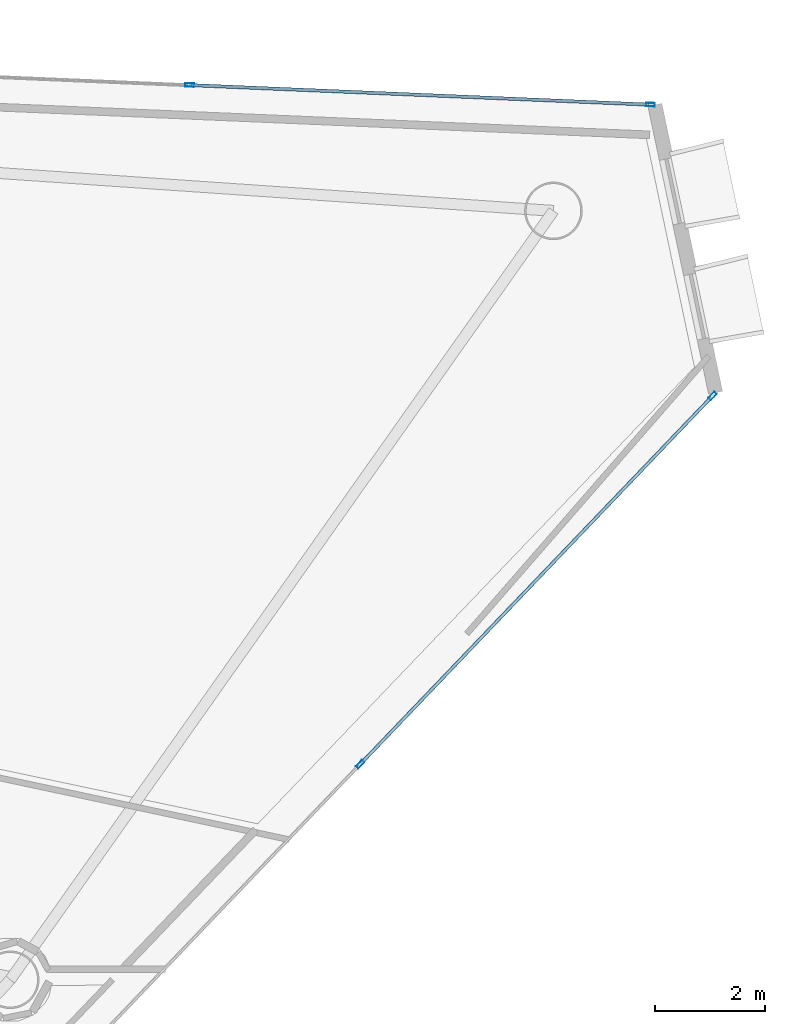
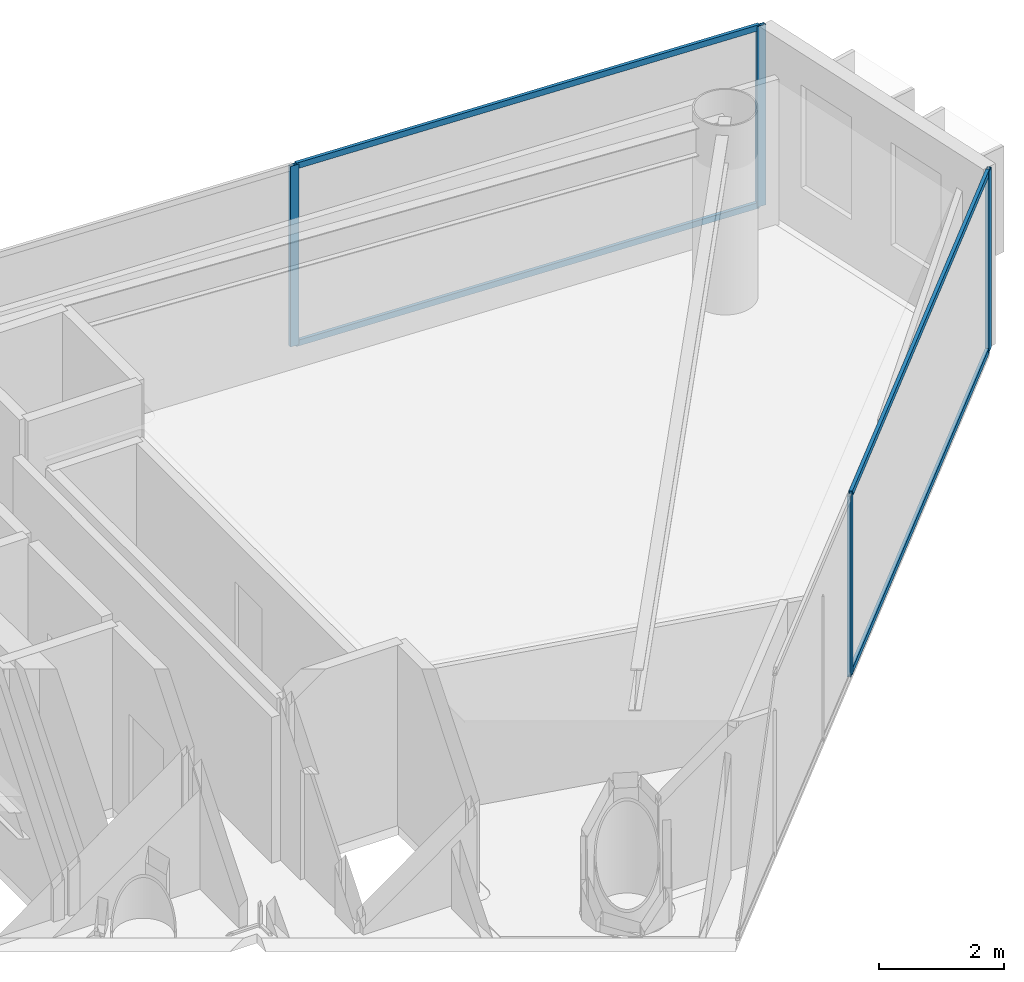
# One storey, part 13 of 21: 8 members, 2 elements without a shape of their own.
"""IFC4 building model written with IfcOpenShell, lengths in metres."""

from ifc_helpers import new_model, si_unit, direction, frame, origin, origin_2d, place, context, subcontext, project, spatial, hollow_rectangle, extrude, material, layer, layer_set, material_profile, profile_set, type_object, element, aggregate, save


model = new_model("IFC4")

# Units and contexts
model_context = context("Model", 3, precision=1e-05, world=origin(), true_north=direction((0.0, 1.0)))
body_context = subcontext(model_context, "Body", "Model", "MODEL_VIEW")
ifc_project = project(units=[si_unit("LENGTHUNIT", "METRE"), si_unit("AREAUNIT", "SQUARE_METRE"), si_unit("VOLUMEUNIT", "CUBIC_METRE"), si_unit("PLANEANGLEUNIT", "RADIAN"), si_unit("MASSUNIT", "GRAM", prefix="KILO")], contexts=[model_context])

# Site, building, storey
site_placement = place(None, origin())
site = spatial("IfcSite", under=ifc_project, at=site_placement, CompositionType="ELEMENT")
building_placement = place(site_placement, origin())
building = spatial("IfcBuilding", under=site, at=building_placement, Name="Qianvela Tower", CompositionType="ELEMENT")
storey_placement = place(building_placement, frame((0.0, 0.0, 242.699951171875)))
storey = spatial("IfcBuildingStorey", under=building, at=storey_placement, Name="L62", CompositionType="ELEMENT", Elevation=242.699951171875)

# Curtain wall, members
ifc_material_1 = material(Name="Anodised Architectural Aluminium and Low-E Glass", Category="aluminium")
ifc_layer = layer(ifc_material_1, 0.159912109375)
ifc_layer_set = layer_set([ifc_layer], Name="Anodised Architectural Aluminium and Low-E Glass")
curtain_wall_type = type_object("IfcCurtainWallType", Name="CW-COLIV-Z56", PredefinedType="USERDEFINED", material=ifc_layer_set)
curtain_wall_1_placement = place(storey_placement, origin())
curtain_wall_1 = element("IfcCurtainWall", 1, at=curtain_wall_1_placement, inside=storey, type_object=curtain_wall_type, Name="L62 CW-COLIV-Z56 Curtain Wall 02A", ObjectType="CURTAIN_WALL_SYSTEM", PredefinedType="USERDEFINED")
ifc_material_2 = material(Name="Anodised Architectural Aluminium 6063-T6", Category="aluminium")
ifc_material_profile_1 = material_profile(ifc_material_2, hollow_rectangle(XDim=0.06494140625, YDim=0.159912109375, WallThickness=0.0048828125, at=origin_2d()), Name="ALU-MULL-65x160")
ifc_profile_set_1 = profile_set([ifc_material_profile_1], Name="Anodised Architectural Aluminium 6063-T6")
member_type_1 = type_object("IfcMemberType", Name="CW-COLIV-Z56-MULL", PredefinedType="MULLION", material=ifc_profile_set_1)
member_1_placement = place(storey_placement, frame((57.098388671875, 36.54052734375, 0.0), z_axis=(0.0, 0.0, 1.0), x_axis=(-0.04245428762, -0.999098410299, 0.0)))
member_1 = element("IfcMember", 2, at=member_1_placement, type_object=member_type_1, Name="CW-5 mullion 1", PredefinedType="MULLION", context=body_context, shape_type="SweptSolid", body=[
    extrude(hollow_rectangle(XDim=0.06494140625, YDim=0.159912109375, WallThickness=0.0048828125, at=origin_2d()), origin(), (0.0, 0.0, 1.0), 3.52001953125),
])
member_2_placement = place(storey_placement, frame((48.70361328125, 36.897216796875, 0.0), z_axis=(0.0, 0.0, 1.0), x_axis=(-0.04245428762, -0.999098410299, 0.0)))
member_2 = element("IfcMember", 3, at=member_2_placement, type_object=member_type_1, Name="CW-5 mullion 2", PredefinedType="MULLION", context=body_context, shape_type="SweptSolid", body=[
    extrude(hollow_rectangle(XDim=0.06494140625, YDim=0.159912109375, WallThickness=0.0048828125, at=origin_2d()), origin(), (0.0, 0.0, 1.0), 3.52001953125),
])

curtain_wall_2_placement = place(storey_placement, origin())
curtain_wall_2 = element("IfcCurtainWall", 4, at=curtain_wall_2_placement, inside=storey, type_object=curtain_wall_type, Name="L62 CW-COLIV-Z56 Curtain Wall 06B", ObjectType="CURTAIN_WALL_SYSTEM", PredefinedType="USERDEFINED")
member_3_placement = place(storey_placement, frame((51.81005859375, 24.521484375, 0.0), z_axis=(0.0, 0.0, 1.0), x_axis=(-0.722644420766, 0.691219965811, 0.0)))
member_3 = element("IfcMember", 5, at=member_3_placement, type_object=member_type_1, Name="CW-5 mullion 3", PredefinedType="MULLION", context=body_context, shape_type="SweptSolid", body=[
    extrude(hollow_rectangle(XDim=0.06494140625, YDim=0.159912109375, WallThickness=0.0048828125, at=origin_2d()), origin(), (0.0, 0.0, 1.0), 3.52001953125),
])
member_4_placement = place(storey_placement, frame((58.228759765625, 31.232177734375, 0.0), z_axis=(0.0, 0.0, 1.0), x_axis=(-0.722644420766, 0.691219965811, 0.0)))
member_4 = element("IfcMember", 6, at=member_4_placement, type_object=member_type_1, Name="CW-5 mullion 4", PredefinedType="MULLION", context=body_context, shape_type="SweptSolid", body=[
    extrude(hollow_rectangle(XDim=0.06494140625, YDim=0.159912109375, WallThickness=0.0048828125, at=origin_2d()), origin(), (0.0, 0.0, 1.0), 3.52001953125),
])

# Member
ifc_material_3 = material(Name="Anodised Architectural Aluminium 6063-T6", Category="aluminium")
ifc_material_profile_2 = material_profile(ifc_material_3, hollow_rectangle(XDim=0.06005859375, YDim=0.114990234375, WallThickness=0.00390625, at=origin_2d()), Name="ALU-TRAN-60x115")
ifc_profile_set_2 = profile_set([ifc_material_profile_2], Name="Anodised Architectural Aluminium 6063-T6")
member_type_2 = type_object("IfcMemberType", Name="CW-COLIV-Z56-TRAN", PredefinedType="USERDEFINED", material=ifc_profile_set_2)
member_5_placement = place(storey_placement, frame((57.06591796875, 36.541748046875, 0.030029296875), z_axis=(-0.999098168043, 0.042459988384, 0.0), x_axis=(-0.042459988384, -0.999098168043, 0.0)))
member_5 = element("IfcMember", 7, at=member_5_placement, type_object=member_type_2, Name="CW-5 transom 1.1", ObjectType="TRANSOM", PredefinedType="USERDEFINED", context=body_context, shape_type="SweptSolid", body=[
    extrude(hollow_rectangle(XDim=0.06005859375, YDim=0.114990234375, WallThickness=0.00390625, at=origin_2d()), origin(), (0.0, 0.0, 1.0), 8.33740234375),
])

member_6_placement = place(storey_placement, frame((57.06591796875, 36.541748046875, 3.489990234375), z_axis=(-0.999098168043, 0.042459988384, 0.0), x_axis=(-0.042459988384, -0.999098168043, 0.0)))
member_6 = element("IfcMember", 8, at=member_6_placement, type_object=member_type_2, Name="CW-5 transom 1.2", ObjectType="TRANSOM", PredefinedType="USERDEFINED", context=body_context, shape_type="SweptSolid", body=[
    extrude(hollow_rectangle(XDim=0.06005859375, YDim=0.114990234375, WallThickness=0.00390625, at=origin_2d()), origin(), (0.0, 0.0, 1.0), 8.33740234375),
])

aggregate(curtain_wall_1, [member_1, member_2, member_5, member_6])

member_7_placement = place(storey_placement, frame((51.83251953125, 24.544921875, 0.030029296875), z_axis=(0.691205212995, 0.722658531762, 0.0), x_axis=(-0.722658531762, 0.691205212995, 0.0)))
member_7 = element("IfcMember", 9, at=member_7_placement, type_object=member_type_2, Name="CW-5 transom 3.1", ObjectType="TRANSOM", PredefinedType="USERDEFINED", context=body_context, shape_type="SweptSolid", body=[
    extrude(hollow_rectangle(XDim=0.06005859375, YDim=0.114990234375, WallThickness=0.00390625, at=origin_2d()), origin(), (0.0, 0.0, 1.0), 9.22119140625),
])

member_8_placement = place(storey_placement, frame((51.83251953125, 24.544921875, 3.489990234375), z_axis=(0.691205212995, 0.722658531762, 0.0), x_axis=(-0.722658531762, 0.691205212995, 0.0)))
member_8 = element("IfcMember", 10, at=member_8_placement, type_object=member_type_2, Name="CW-5 transom 3.2", ObjectType="TRANSOM", PredefinedType="USERDEFINED", context=body_context, shape_type="SweptSolid", body=[
    extrude(hollow_rectangle(XDim=0.06005859375, YDim=0.114990234375, WallThickness=0.00390625, at=origin_2d()), origin(), (0.0, 0.0, 1.0), 9.22119140625),
])

aggregate(curtain_wall_2, [member_3, member_4, member_7, member_8])

save(model, "model.ifc")
